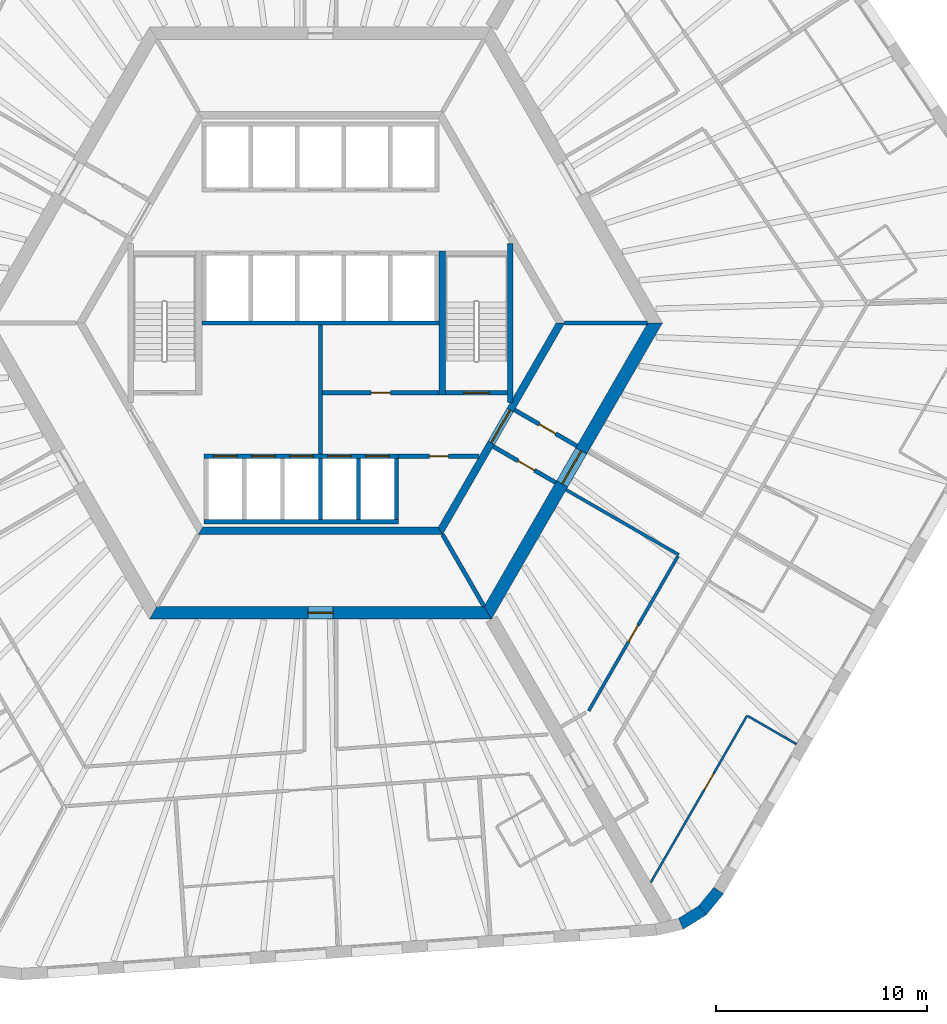
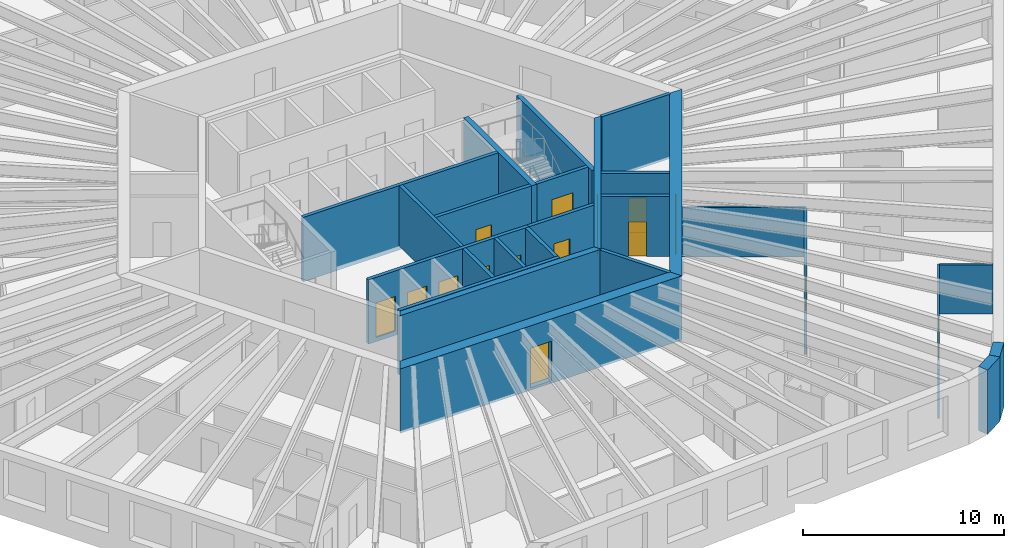
# One storey, part 5 of 12: 26 walls, 15 doors, 15 openings.
"""IFC4 building model written with IfcOpenShell, lengths in metres."""

from ifc_helpers import new_model, si_unit, direction, frame, frame_2d, origin, place, context, subcontext, project, spatial, polyline, rectangle, outline, extrude, material, layer, layer_set, type_object, element, fill, save


model = new_model("IFC4")

# Units and contexts
model_context = context("Model", 3, precision=1e-05, world=origin(), true_north=direction((0.0, 1.0)))
body_context = subcontext(model_context, "Body", "Model", "MODEL_VIEW")
ifc_project = project(units=[si_unit("LENGTHUNIT", "METRE"), si_unit("AREAUNIT", "SQUARE_METRE"), si_unit("VOLUMEUNIT", "CUBIC_METRE"), si_unit("PLANEANGLEUNIT", "RADIAN"), si_unit("MASSUNIT", "GRAM", prefix="KILO")], contexts=[model_context])

# Site, building, storey
site_placement = place(None, origin())
site = spatial("IfcSite", under=ifc_project, at=site_placement, CompositionType="ELEMENT")
building_placement = place(site_placement, origin())
building = spatial("IfcBuilding", under=site, at=building_placement, Name="Tarnside Tower", CompositionType="ELEMENT")
storey_placement = place(building_placement, frame((0.0, 0.0, 119.39990234375)))
storey = spatial("IfcBuildingStorey", under=building, at=storey_placement, Name="L27", CompositionType="ELEMENT", Elevation=119.39990234375)

# Wall
ifc_material_1 = material(Name="Concrete C50/60", Category="concrete")
ifc_layer_1 = layer(ifc_material_1, 0.35009765625)
ifc_layer_set_1 = layer_set([ifc_layer_1], Name="Core block wall 350 C50/60")
wall_type_1 = type_object("IfcWallType", Name="Core block wall 350 C50/60", PredefinedType="SHEAR", material=ifc_layer_set_1)
wall_1_placement = place(storey_placement, frame((-5.672607421875, -9.824951171875, -0.14990234375), z_axis=(0.0, 0.0, 1.0), x_axis=(1.0, 0.0, 0.0)))
element("IfcWall", 1, at=wall_1_placement, inside=storey, type_object=wall_type_1, Name="L27 core block wall face 4", PredefinedType="SHEAR", context=body_context, shape_type="SweptSolid", body=[
    extrude(outline(polyline([(-0.10107421875, -0.175048828125), (11.4462890625, -0.175048828125), (11.244140625, 0.175048828125), (0.10107421875, 0.175048828125), (-0.10107421875, -0.175048828125)])), origin(), (0.0, 0.0, 1.0), 3.89990234375),
])

# Wall, opening, door
wall_2_placement = place(storey_placement, frame((5.672607421875, -9.824951171875, -0.14990234375), z_axis=(0.0, 0.0, 1.0), x_axis=(0.499995046907, 0.866028263435, 0.0)))
wall_2 = element("IfcWall", 2, at=wall_2_placement, inside=storey, type_object=wall_type_1, Name="L27 core block wall face 5", PredefinedType="SHEAR", context=body_context, shape_type="SweptSolid", body=[
    extrude(outline(polyline([(-0.10107421875, -0.175048828125), (11.44580078125, -0.175048828125), (11.24365234375, 0.175048828125), (0.10107421875, 0.175048828125), (-0.10107421875, -0.175048828125)])), origin(), (0.0, 0.0, 1.0), 3.89990234375),
])
opening_1_placement = place(wall_2_placement, frame((4.80126953125, 0.0, 0.14990234375)))
opening_1 = element("IfcOpeningElement", 3, at=opening_1_placement, cuts=wall_2, Name="Opening CD-FFL", PredefinedType="OPENING", context=body_context, shape_type="SweptSolid", body=[
    extrude(rectangle(XDim=1.800048828125, YDim=2.39990234375, at=frame_2d((0.89990234375, 1.199951171875))), frame((0.0, 0.18505859375, 0.0), z_axis=(0.0, -1.0, 0.0), x_axis=(1.0, 0.0, 0.0)), (0.0, 0.0, 1.0), 0.3701171875),
])
ifc_material_2 = material(Name="Steel fire door", Category="steel")
door_type_1 = type_object("IfcDoorType", Name="Firefighting lobby double door FD60S 1800x2400", OperationType="NOTDEFINED", PredefinedType="DOOR", material=ifc_material_2)
door_1_placement = place(opening_1_placement, origin())
door_1 = element("IfcDoor", 4, at=door_1_placement, inside=storey, type_object=door_type_1, Name="L27 lobby block door P4", OperationType="DOUBLE_DOOR_SINGLE_SWING", OverallHeight=2.39990234375, OverallWidth=1.800048828125, PredefinedType="DOOR", context=body_context, shape_type="SweptSolid", body=[
    extrude(rectangle(XDim=1.800048828125, YDim=2.39990234375, at=frame_2d((0.89990234375, 1.199951171875))), frame((0.0, 0.02490234375, 0.0), z_axis=(0.0, -1.0, 0.0), x_axis=(1.0, 0.0, 0.0)), (0.0, 0.0, 1.0), 0.050048828125),
])
fill(opening_1, door_1)

ifc_material_3 = material(Name="Concrete C40/50", Category="concrete")
ifc_layer_2 = layer(ifc_material_3, 0.199951171875)
ifc_layer_set_2 = layer_set([ifc_layer_2], Name="Core room partition 200 C40/50")
wall_type_2 = type_object("IfcWallType", Name="Core room partition 200 C40/50", PredefinedType="PARTITIONING", material=ifc_layer_set_2)
wall_3_placement = place(storey_placement, frame((0.10009765625, -3.300048828125, 0.0), z_axis=(0.0, 0.0, 1.0), x_axis=(1.0, 0.0, 0.0)))
wall_3 = element("IfcWall", 5, at=wall_3_placement, inside=storey, type_object=wall_type_2, Name="L27 core partition R3S1", PredefinedType="PARTITIONING", context=body_context, shape_type="SweptSolid", body=[
    extrude(rectangle(XDim=5.5, YDim=0.199951171875, at=frame_2d((2.75, 0.0))), origin(), (0.0, 0.0, 1.0), 3.650146484375),
])
opening_2_placement = place(wall_3_placement, frame((2.300048828125, 0.0, 0.0)))
opening_2 = element("IfcOpeningElement", 6, at=opening_2_placement, cuts=wall_3, Name="Opening CD-room", PredefinedType="OPENING", context=body_context, shape_type="SweptSolid", body=[
    extrude(rectangle(XDim=0.89990234375, YDim=2.10009765625, at=frame_2d((0.449951171875, 1.050048828125))), frame((0.0, 0.10986328125, 0.0), z_axis=(0.0, -1.0, 0.0), x_axis=(1.0, 0.0, 0.0)), (0.0, 0.0, 1.0), 0.219970703125),
])
door_type_2 = type_object("IfcDoorType", Name="Room door FD60 900x2100", OperationType="NOTDEFINED", PredefinedType="DOOR", material=ifc_material_2)
door_2_placement = place(opening_2_placement, origin())
door_2 = element("IfcDoor", 7, at=door_2_placement, inside=storey, type_object=door_type_2, Name="L27 core room door SR1", OperationType="SINGLE_SWING_LEFT", OverallHeight=2.10009765625, OverallWidth=0.89990234375, PredefinedType="DOOR", context=body_context, shape_type="SweptSolid", body=[
    extrude(rectangle(XDim=0.89990234375, YDim=2.10009765625, at=frame_2d((0.449951171875, 1.050048828125))), frame((0.0, 0.02490234375, 0.0), z_axis=(0.0, -1.0, 0.0), x_axis=(1.0, 0.0, 0.0)), (0.0, 0.0, 1.0), 0.050048828125),
])
fill(opening_2, door_2)

# Wall
wall_4_placement = place(storey_placement, frame((0.0, -6.199951171875, 0.0), z_axis=(0.0, 0.0, 1.0), x_axis=(0.0, 1.0, 0.0)))
element("IfcWall", 8, at=wall_4_placement, inside=storey, type_object=wall_type_2, Name="L27 core partition X0", PredefinedType="PARTITIONING", context=body_context, shape_type="SweptSolid", body=[
    extrude(rectangle(XDim=6.099853515625, YDim=0.199951171875, at=frame_2d((3.0498046875, 0.0))), origin(), (0.0, 0.0, 1.0), 3.650146484375),
])

# Wall, opening, door
wall_5_placement = place(storey_placement, frame((3.699951171875, -6.300048828125, 0.0), z_axis=(0.0, 0.0, 1.0), x_axis=(1.0, 0.0, 0.0)))
wall_5 = element("IfcWall", 9, at=wall_5_placement, inside=storey, type_object=wall_type_2, Name="L27 core partition R4X", PredefinedType="PARTITIONING", context=body_context, shape_type="SweptSolid", body=[
    extrude(rectangle(XDim=3.8056640625, YDim=0.199951171875, at=frame_2d((1.90283203125, 0.0))), origin(), (0.0, 0.0, 1.0), 3.650146484375),
])
opening_3_placement = place(wall_5_placement, frame((1.452880859375, 0.0, 0.0)))
opening_3 = element("IfcOpeningElement", 10, at=opening_3_placement, cuts=wall_5, Name="Opening CD-room", PredefinedType="OPENING", context=body_context, shape_type="SweptSolid", body=[
    extrude(rectangle(XDim=0.89990234375, YDim=2.10009765625, at=frame_2d((0.449951171875, 1.050048828125))), frame((0.0, 0.10986328125, 0.0), z_axis=(0.0, -1.0, 0.0), x_axis=(1.0, 0.0, 0.0)), (0.0, 0.0, 1.0), 0.219970703125),
])
door_3_placement = place(opening_3_placement, origin())
door_3 = element("IfcDoor", 11, at=door_3_placement, inside=storey, type_object=door_type_2, Name="L27 core room door RX", OperationType="SINGLE_SWING_LEFT", OverallHeight=2.10009765625, OverallWidth=0.89990234375, PredefinedType="DOOR", context=body_context, shape_type="SweptSolid", body=[
    extrude(rectangle(XDim=0.89990234375, YDim=2.10009765625, at=frame_2d((0.449951171875, 1.050048828125))), frame((0.0, 0.02490234375, 0.0), z_axis=(0.0, -1.0, 0.0), x_axis=(1.0, 0.0, 0.0)), (0.0, 0.0, 1.0), 0.050048828125),
])
fill(opening_3, door_3)

wall_6_placement = place(storey_placement, frame((9.1748046875, -4.10888671875, 0.0), z_axis=(0.0, 0.0, 1.0), x_axis=(0.865989465428, -0.500062241894, 0.0)))
wall_6 = element("IfcWall", 12, at=wall_6_placement, inside=storey, type_object=wall_type_2, Name="L27 core partition AC4L", PredefinedType="PARTITIONING", context=body_context, shape_type="SweptSolid", body=[
    extrude(rectangle(XDim=3.39990234375, YDim=0.199951171875, at=frame_2d((1.699951171875, 0.0))), origin(), (0.0, 0.0, 1.0), 3.650146484375),
])
opening_4_placement = place(wall_6_placement, frame((1.3505859375, 0.0, 0.0)))
opening_4 = element("IfcOpeningElement", 13, at=opening_4_placement, cuts=wall_6, Name="Opening CD-room", PredefinedType="OPENING", context=body_context, shape_type="SweptSolid", body=[
    extrude(rectangle(XDim=0.89990234375, YDim=2.10009765625, at=frame_2d((0.449951171875, 1.050048828125))), frame((0.0, 0.10986328125, 0.0), z_axis=(0.0, -1.0, 0.0), x_axis=(1.0, 0.0, 0.0)), (0.0, 0.0, 1.0), 0.219970703125),
])
door_4_placement = place(opening_4_placement, origin())
door_4 = element("IfcDoor", 14, at=door_4_placement, inside=storey, type_object=door_type_2, Name="L27 core room door AX4L", OperationType="SINGLE_SWING_LEFT", OverallHeight=2.10009765625, OverallWidth=0.89990234375, PredefinedType="DOOR", context=body_context, shape_type="SweptSolid", body=[
    extrude(rectangle(XDim=0.89990234375, YDim=2.10009765625, at=frame_2d((0.449951171875, 1.050048828125))), frame((0.0, 0.02490234375, 0.0), z_axis=(0.0, -1.0, 0.0), x_axis=(1.0, 0.0, 0.0)), (0.0, 0.0, 1.0), 0.050048828125),
])
fill(opening_4, door_4)

wall_7_placement = place(storey_placement, frame((8.1748046875, -5.841064453125, 0.0), z_axis=(0.0, 0.0, 1.0), x_axis=(0.866020560687, -0.500008388397, 0.0)))
wall_7 = element("IfcWall", 15, at=wall_7_placement, inside=storey, type_object=wall_type_2, Name="L27 core partition AC4R", PredefinedType="PARTITIONING", context=body_context, shape_type="SweptSolid", body=[
    extrude(rectangle(XDim=3.39990234375, YDim=0.199951171875, at=frame_2d((1.699951171875, 0.0))), origin(), (0.0, 0.0, 1.0), 3.650146484375),
])
opening_5_placement = place(wall_7_placement, frame((1.349609375, 0.0, 0.0)))
opening_5 = element("IfcOpeningElement", 16, at=opening_5_placement, cuts=wall_7, Name="Opening CD-room", PredefinedType="OPENING", context=body_context, shape_type="SweptSolid", body=[
    extrude(rectangle(XDim=0.89990234375, YDim=2.10009765625, at=frame_2d((0.449951171875, 1.050048828125))), frame((0.0, 0.10986328125, 0.0), z_axis=(0.0, -1.0, 0.0), x_axis=(1.0, 0.0, 0.0)), (0.0, 0.0, 1.0), 0.219970703125),
])
door_5_placement = place(opening_5_placement, origin())
door_5 = element("IfcDoor", 17, at=door_5_placement, inside=storey, type_object=door_type_2, Name="L27 core room door AX4R", OperationType="SINGLE_SWING_LEFT", OverallHeight=2.10009765625, OverallWidth=0.89990234375, PredefinedType="DOOR", context=body_context, shape_type="SweptSolid", body=[
    extrude(rectangle(XDim=0.89990234375, YDim=2.10009765625, at=frame_2d((0.449951171875, 1.050048828125))), frame((0.0, 0.02490234375, 0.0), z_axis=(0.0, -1.0, 0.0), x_axis=(1.0, 0.0, 0.0)), (0.0, 0.0, 1.0), 0.050048828125),
])
fill(opening_5, door_5)

ifc_material_4 = material(Name="Concrete C80/95", Category="concrete")
ifc_layer_3 = layer(ifc_material_4, 0.60009765625)
ifc_layer_set_3 = layer_set([ifc_layer_3], Name="Core wall Z1 600 C80/95")
wall_type_3 = type_object("IfcWallType", Name="Core wall Z1 600 C80/95", PredefinedType="SHEAR", material=ifc_layer_set_3)
wall_8_placement = place(storey_placement, frame((-7.90966796875, -13.699951171875, -0.14990234375), z_axis=(0.0, 0.0, 1.0), x_axis=(1.0, 0.0, 0.0)))
wall_8 = element("IfcWall", 18, at=wall_8_placement, inside=storey, type_object=wall_type_3, Name="L27 core wall face 4", PredefinedType="SHEAR", context=body_context, shape_type="SweptSolid", body=[
    extrude(outline(polyline([(-0.17333984375, -0.300048828125), (15.99267578125, -0.300048828125), (15.64599609375, 0.300048828125), (0.17333984375, 0.300048828125), (-0.17333984375, -0.300048828125)])), origin(), (0.0, 0.0, 1.0), 3.89990234375),
])
opening_6_placement = place(wall_8_placement, frame((7.309814453125, 0.0, 0.14990234375)))
opening_6 = element("IfcOpeningElement", 19, at=opening_6_placement, cuts=wall_8, Name="Opening CD-RSR", PredefinedType="OPENING", context=body_context, shape_type="SweptSolid", body=[
    extrude(rectangle(XDim=1.199951171875, YDim=2.39990234375, at=frame_2d((0.60009765625, 1.199951171875))), frame((0.0, 0.31005859375, 0.0), z_axis=(0.0, -1.0, 0.0), x_axis=(1.0, 0.0, 0.0)), (0.0, 0.0, 1.0), 0.6201171875),
])
door_type_3 = type_object("IfcDoorType", Name="Riser door FD60 1200x2400", OperationType="NOTDEFINED", PredefinedType="DOOR", material=ifc_material_2)
door_6_placement = place(opening_6_placement, origin())
door_6 = element("IfcDoor", 20, at=door_6_placement, inside=storey, type_object=door_type_3, Name="L27 core door S6", OperationType="SINGLE_SWING_LEFT", OverallHeight=2.39990234375, OverallWidth=1.199951171875, PredefinedType="DOOR", context=body_context, shape_type="SweptSolid", body=[
    extrude(rectangle(XDim=1.199951171875, YDim=2.39990234375, at=frame_2d((0.60009765625, 1.199951171875))), frame((0.0, 0.02490234375, 0.0), z_axis=(0.0, -1.0, 0.0), x_axis=(1.0, 0.0, 0.0)), (0.0, 0.0, 1.0), 0.050048828125),
])
fill(opening_6, door_6)

wall_9_placement = place(storey_placement, frame((7.90966796875, -13.699951171875, -0.14990234375), z_axis=(0.0, 0.0, 1.0), x_axis=(0.499999880136, 0.866025472988, 0.0)))
wall_9 = element("IfcWall", 21, at=wall_9_placement, inside=storey, type_object=wall_type_3, Name="L27 core wall face 5", PredefinedType="SHEAR", context=body_context, shape_type="SweptSolid", body=[
    extrude(outline(polyline([(-0.17333984375, -0.300048828125), (15.99267578125, -0.300048828125), (15.64599609375, 0.300048828125), (0.17333984375, 0.300048828125), (-0.17333984375, -0.300048828125)])), origin(), (0.0, 0.0, 1.0), 3.89990234375),
])
opening_7_placement = place(wall_9_placement, frame((7.03857421875, 0.0, 0.14990234375)))
opening_7 = element("IfcOpeningElement", 22, at=opening_7_placement, cuts=wall_9, Name="Opening CD-FFL", PredefinedType="OPENING", context=body_context, shape_type="SweptSolid", body=[
    extrude(rectangle(XDim=1.800048828125, YDim=2.39990234375, at=frame_2d((0.89990234375, 1.199951171875))), frame((0.0, 0.31005859375, 0.0), z_axis=(0.0, -1.0, 0.0), x_axis=(1.0, 0.0, 0.0)), (0.0, 0.0, 1.0), 0.6201171875),
])
door_7_placement = place(opening_7_placement, origin())
door_7 = element("IfcDoor", 23, at=door_7_placement, inside=storey, type_object=door_type_1, Name="L27 core door P4", OperationType="DOUBLE_DOOR_SINGLE_SWING", OverallHeight=2.39990234375, OverallWidth=1.800048828125, PredefinedType="DOOR", context=body_context, shape_type="SweptSolid", body=[
    extrude(rectangle(XDim=1.800048828125, YDim=2.39990234375, at=frame_2d((0.89990234375, 1.199951171875))), frame((0.0, 0.02490234375, 0.0), z_axis=(0.0, -1.0, 0.0), x_axis=(1.0, 0.0, 0.0)), (0.0, 0.0, 1.0), 0.050048828125),
])
fill(opening_7, door_7)

# Wall
ifc_material_5 = material(Name="Gypsum board partition on steel studs", Category="steel")
ifc_layer_4 = layer(ifc_material_5, 0.14990234375)
ifc_layer_set_4 = layer_set([ifc_layer_4], Name="Corridor wall 150 EI 60")
wall_type_4 = type_object("IfcWallType", Name="Corridor wall 150 EI 60", PredefinedType="PARTITIONING", material=ifc_layer_set_4)
wall_10_placement = place(storey_placement, frame((11.61376953125, -7.88427734375, 0.0), z_axis=(0.0, 0.0, 1.0), x_axis=(0.866033542371, -0.499985903289, 0.0)))
element("IfcWall", 24, at=wall_10_placement, inside=storey, type_object=wall_type_4, Name="Corridor wall 08066", PredefinedType="PARTITIONING", context=body_context, shape_type="SweptSolid", body=[
    extrude(rectangle(XDim=6.150146484375, YDim=0.14990234375, at=frame_2d((3.0751953125, 0.0))), origin(), (0.0, 0.0, 1.0), 2.98779296875),
])

# Wall, opening, door
wall_11_placement = place(storey_placement, frame((16.90234375, -11.024169921875, 0.0), z_axis=(0.0, 0.0, 1.0), x_axis=(-0.499999527968, -0.866025676312, 0.0)))
wall_11 = element("IfcWall", 25, at=wall_11_placement, inside=storey, type_object=wall_type_4, Name="Corridor wall 08067", PredefinedType="PARTITIONING", context=body_context, shape_type="SweptSolid", body=[
    extrude(rectangle(XDim=8.44091796875, YDim=0.14990234375, at=frame_2d((4.220458984375, 0.0))), origin(), (0.0, 0.0, 1.0), 2.98779296875),
])
opening_8_placement = place(wall_11_placement, frame((3.7705078125, 0.0, 0.0)))
opening_8 = element("IfcOpeningElement", 26, at=opening_8_placement, cuts=wall_11, Name="Opening D-S1", PredefinedType="OPENING", context=body_context, shape_type="SweptSolid", body=[
    extrude(rectangle(XDim=0.89990234375, YDim=2.10009765625, at=frame_2d((0.449951171875, 1.050048828125))), frame((0.0, 0.0849609375, 0.0), z_axis=(0.0, -1.0, 0.0), x_axis=(1.0, 0.0, 0.0)), (0.0, 0.0, 1.0), 0.169921875),
])
ifc_material_6 = material(Name="Timber door leaf", Category="wood")
door_type_4 = type_object("IfcDoorType", Name="Service room door 900 FD30S", OperationType="NOTDEFINED", PredefinedType="DOOR", material=ifc_material_6)
door_8_placement = place(opening_8_placement, origin())
door_8 = element("IfcDoor", 27, at=door_8_placement, inside=storey, type_object=door_type_4, Name="Service door 08047", OperationType="SINGLE_SWING_RIGHT", OverallHeight=2.10009765625, OverallWidth=0.89990234375, PredefinedType="DOOR", context=body_context, shape_type="SweptSolid", body=[
    extrude(rectangle(XDim=0.89990234375, YDim=2.10009765625, at=frame_2d((0.449951171875, 1.050048828125))), frame((0.0, 0.02490234375, 0.0), z_axis=(0.0, -1.0, 0.0), x_axis=(1.0, 0.0, 0.0)), (0.0, 0.0, 1.0), 0.050048828125),
])
fill(opening_8, door_8)

# Wall
ifc_layer_5 = layer(ifc_material_3, 0.199951171875)
ifc_layer_set_5 = layer_set([ifc_layer_5], Name="Lift shaft wall 200 C40/50")
wall_type_5 = type_object("IfcWallType", Name="Lift shaft wall 200 C40/50", PredefinedType="SHEAR", material=ifc_layer_set_5)
wall_12_placement = place(storey_placement, frame((-5.60009765625, 0.0, -0.25), z_axis=(0.0, 0.0, 1.0), x_axis=(1.0, 0.0, 0.0)))
element("IfcWall", 28, at=wall_12_placement, inside=storey, type_object=wall_type_5, Name="L27 lift shaft back wall R2", PredefinedType="SHEAR", context=body_context, shape_type="SweptSolid", body=[
    extrude(rectangle(XDim=11.2001953125, YDim=0.199951171875, at=frame_2d((5.60009765625, 0.0))), origin(), (0.0, 0.0, 1.0), 3.900146484375),
])

# Wall, openings, doors
wall_13_placement = place(storey_placement, frame((-5.5, -6.300048828125, -0.25), z_axis=(0.0, 0.0, 1.0), x_axis=(1.0, 0.0, 0.0)))
wall_13 = element("IfcWall", 29, at=wall_13_placement, inside=storey, type_object=wall_type_5, Name="L27 lift shaft front wall R4", PredefinedType="SHEAR", context=body_context, shape_type="SweptSolid", body=[
    extrude(rectangle(XDim=9.199951171875, YDim=0.199951171875, at=frame_2d((4.60009765625, 0.0))), origin(), (0.0, 0.0, 1.0), 3.900146484375),
])
opening_9_placement = place(wall_13_placement, frame((0.449951171875, 0.0, 0.25)))
opening_9 = element("IfcOpeningElement", 30, at=opening_9_placement, cuts=wall_13, Name="Opening LDF", PredefinedType="OPENING", context=body_context, shape_type="SweptSolid", body=[
    extrude(rectangle(XDim=1.10009765625, YDim=2.10009765625, at=frame_2d((0.550048828125, 1.050048828125))), frame((0.0, 0.10986328125, 0.0), z_axis=(0.0, -1.0, 0.0), x_axis=(1.0, 0.0, 0.0)), (0.0, 0.0, 1.0), 0.219970703125),
])
opening_10_placement = place(wall_13_placement, frame((2.25, 0.0, 0.25)))
opening_10 = element("IfcOpeningElement", 31, at=opening_10_placement, cuts=wall_13, Name="Opening LDF", PredefinedType="OPENING", context=body_context, shape_type="SweptSolid", body=[
    extrude(rectangle(XDim=1.10009765625, YDim=2.10009765625, at=frame_2d((0.550048828125, 1.050048828125))), frame((0.0, 0.10986328125, 0.0), z_axis=(0.0, -1.0, 0.0), x_axis=(1.0, 0.0, 0.0)), (0.0, 0.0, 1.0), 0.219970703125),
])
opening_11_placement = place(wall_13_placement, frame((4.050048828125, 0.0, 0.25)))
opening_11 = element("IfcOpeningElement", 32, at=opening_11_placement, cuts=wall_13, Name="Opening LDF", PredefinedType="OPENING", context=body_context, shape_type="SweptSolid", body=[
    extrude(rectangle(XDim=1.10009765625, YDim=2.10009765625, at=frame_2d((0.550048828125, 1.050048828125))), frame((0.0, 0.10986328125, 0.0), z_axis=(0.0, -1.0, 0.0), x_axis=(1.0, 0.0, 0.0)), (0.0, 0.0, 1.0), 0.219970703125),
])
opening_12_placement = place(wall_13_placement, frame((5.85009765625, 0.0, 0.25)))
opening_12 = element("IfcOpeningElement", 33, at=opening_12_placement, cuts=wall_13, Name="Opening LDF", PredefinedType="OPENING", context=body_context, shape_type="SweptSolid", body=[
    extrude(rectangle(XDim=1.10009765625, YDim=2.10009765625, at=frame_2d((0.550048828125, 1.050048828125))), frame((0.0, 0.10986328125, 0.0), z_axis=(0.0, -1.0, 0.0), x_axis=(1.0, 0.0, 0.0)), (0.0, 0.0, 1.0), 0.219970703125),
])
opening_13_placement = place(wall_13_placement, frame((7.64990234375, 0.0, 0.25)))
opening_13 = element("IfcOpeningElement", 34, at=opening_13_placement, cuts=wall_13, Name="Opening LDF", PredefinedType="OPENING", context=body_context, shape_type="SweptSolid", body=[
    extrude(rectangle(XDim=1.10009765625, YDim=2.10009765625, at=frame_2d((0.550048828125, 1.050048828125))), frame((0.0, 0.10986328125, 0.0), z_axis=(0.0, -1.0, 0.0), x_axis=(1.0, 0.0, 0.0)), (0.0, 0.0, 1.0), 0.219970703125),
])
ifc_material_7 = material(Name="Stainless steel", Category="steel")
door_type_5 = type_object("IfcDoorType", Name="Lift landing door 1100x2100 EI 120", OperationType="NOTDEFINED", PredefinedType="DOOR", material=ifc_material_7)
door_9_placement = place(opening_9_placement, origin())
door_9 = element("IfcDoor", 35, at=door_9_placement, inside=storey, type_object=door_type_5, Name="Firefighting lift 1 landing door L27", OperationType="SLIDING_TO_LEFT", OverallHeight=2.10009765625, OverallWidth=1.10009765625, PredefinedType="DOOR", context=body_context, shape_type="SweptSolid", body=[
    extrude(rectangle(XDim=1.10009765625, YDim=2.10009765625, at=frame_2d((0.550048828125, 1.050048828125))), frame((0.0, 0.02490234375, 0.0), z_axis=(0.0, -1.0, 0.0), x_axis=(1.0, 0.0, 0.0)), (0.0, 0.0, 1.0), 0.050048828125),
])
fill(opening_9, door_9)
door_10_placement = place(opening_10_placement, origin())
door_10 = element("IfcDoor", 36, at=door_10_placement, inside=storey, type_object=door_type_5, Name="Firefighting lift 2 landing door L27", OperationType="SLIDING_TO_LEFT", OverallHeight=2.10009765625, OverallWidth=1.10009765625, PredefinedType="DOOR", context=body_context, shape_type="SweptSolid", body=[
    extrude(rectangle(XDim=1.10009765625, YDim=2.10009765625, at=frame_2d((0.550048828125, 1.050048828125))), frame((0.0, 0.02490234375, 0.0), z_axis=(0.0, -1.0, 0.0), x_axis=(1.0, 0.0, 0.0)), (0.0, 0.0, 1.0), 0.050048828125),
])
fill(opening_10, door_10)
door_11_placement = place(opening_11_placement, origin())
door_11 = element("IfcDoor", 37, at=door_11_placement, inside=storey, type_object=door_type_5, Name="Firefighting lift 3 landing door L27", OperationType="SLIDING_TO_LEFT", OverallHeight=2.10009765625, OverallWidth=1.10009765625, PredefinedType="DOOR", context=body_context, shape_type="SweptSolid", body=[
    extrude(rectangle(XDim=1.10009765625, YDim=2.10009765625, at=frame_2d((0.550048828125, 1.050048828125))), frame((0.0, 0.02490234375, 0.0), z_axis=(0.0, -1.0, 0.0), x_axis=(1.0, 0.0, 0.0)), (0.0, 0.0, 1.0), 0.050048828125),
])
fill(opening_11, door_11)
door_12_placement = place(opening_12_placement, origin())
door_12 = element("IfcDoor", 38, at=door_12_placement, inside=storey, type_object=door_type_5, Name="Firefighting lift 4 landing door L27", OperationType="SLIDING_TO_LEFT", OverallHeight=2.10009765625, OverallWidth=1.10009765625, PredefinedType="DOOR", context=body_context, shape_type="SweptSolid", body=[
    extrude(rectangle(XDim=1.10009765625, YDim=2.10009765625, at=frame_2d((0.550048828125, 1.050048828125))), frame((0.0, 0.02490234375, 0.0), z_axis=(0.0, -1.0, 0.0), x_axis=(1.0, 0.0, 0.0)), (0.0, 0.0, 1.0), 0.050048828125),
])
fill(opening_12, door_12)
door_13_placement = place(opening_13_placement, origin())
door_13 = element("IfcDoor", 39, at=door_13_placement, inside=storey, type_object=door_type_5, Name="Firefighting lift 5 landing door L27", OperationType="SLIDING_TO_LEFT", OverallHeight=2.10009765625, OverallWidth=1.10009765625, PredefinedType="DOOR", context=body_context, shape_type="SweptSolid", body=[
    extrude(rectangle(XDim=1.10009765625, YDim=2.10009765625, at=frame_2d((0.550048828125, 1.050048828125))), frame((0.0, 0.02490234375, 0.0), z_axis=(0.0, -1.0, 0.0), x_axis=(1.0, 0.0, 0.0)), (0.0, 0.0, 1.0), 0.050048828125),
])
fill(opening_13, door_13)

# Walls
wall_14_placement = place(storey_placement, frame((-5.5, -9.39990234375, -0.25), z_axis=(0.0, 0.0, 1.0), x_axis=(1.0, 0.0, 0.0)))
element("IfcWall", 40, at=wall_14_placement, inside=storey, type_object=wall_type_5, Name="L27 lift shaft back wall R4", PredefinedType="SHEAR", context=body_context, shape_type="SweptSolid", body=[
    extrude(rectangle(XDim=9.199951171875, YDim=0.199951171875, at=frame_2d((4.60009765625, 0.0))), origin(), (0.0, 0.0, 1.0), 3.900146484375),
])
for number, where, z_axis, x_axis, name in (
    (41, (0.0, -9.300048828125, -0.25), (0.0, 0.0, 1.0), (0.0, 1.0, 0.0), "L27 lift shaft partition R44"),
    (42, (1.800048828125, -9.300048828125, -0.25), (0.0, 0.0, 1.0), (0.0, 1.0, 0.0), "L27 lift shaft partition R45"),
    (43, (3.60009765625, -9.300048828125, -0.25), (0.0, 0.0, 1.0), (0.0, 1.0, 0.0), "L27 lift shaft partition R46"),
):
    element("IfcWall", number, at=place(storey_placement, frame(where, z_axis=z_axis, x_axis=x_axis)), inside=storey, type_object=wall_type_5, Name=name, PredefinedType="SHEAR", context=body_context, shape_type="SweptSolid", body=[
        extrude(rectangle(XDim=2.900146484375, YDim=0.199951171875, at=frame_2d((1.4501953125, 0.0))), origin(), (0.0, 0.0, 1.0), 3.900146484375),
    ])
wall_15_placement = place(storey_placement, frame((11.547119140625, 0.0, -0.14990234375), z_axis=(0.0, 0.0, 1.0), x_axis=(1.0, 0.0, 0.0)))
element("IfcWall", 44, at=wall_15_placement, inside=storey, type_object=wall_type_5, Name="L27 core partition AR0", PredefinedType="SHEAR", context=body_context, shape_type="SweptSolid", body=[
    extrude(rectangle(XDim=3.92578125, YDim=0.199951171875, at=frame_2d((1.962890625, 0.0))), origin(), (0.0, 0.0, 1.0), 3.89990234375),
])
wall_16_placement = place(storey_placement, frame((5.7734375, -10.0, -0.14990234375), z_axis=(0.0, 0.0, 1.0), x_axis=(0.500038251005, -0.86600331843, 0.0)))
element("IfcWall", 45, at=wall_16_placement, inside=storey, type_object=wall_type_5, Name="L27 core partition AR300", PredefinedType="SHEAR", context=body_context, shape_type="SweptSolid", body=[
    extrude(rectangle(XDim=3.926025390625, YDim=0.199951171875, at=frame_2d((1.962890625, 0.0))), origin(), (0.0, 0.0, 1.0), 3.89990234375),
])

# Wall, opening, door
wall_17_placement = place(storey_placement, frame((5.89990234375, -3.300048828125, -0.25), z_axis=(0.0, 0.0, 1.0), x_axis=(1.0, 0.0, 0.0)))
wall_17 = element("IfcWall", 46, at=wall_17_placement, inside=storey, type_object=wall_type_5, Name="L27 stair 1 enclosure cap wall s", PredefinedType="SHEAR", context=body_context, shape_type="SweptSolid", body=[
    extrude(rectangle(XDim=2.9501953125, YDim=0.199951171875, at=frame_2d((1.47509765625, 0.0))), origin(), (0.0, 0.0, 1.0), 3.900146484375),
])
opening_14_placement = place(wall_17_placement, frame((0.875, 0.0, 0.25)))
opening_14 = element("IfcOpeningElement", 47, at=opening_14_placement, cuts=wall_17, Name="Opening CD-STR", PredefinedType="OPENING", context=body_context, shape_type="SweptSolid", body=[
    extrude(rectangle(XDim=1.199951171875, YDim=2.39990234375, at=frame_2d((0.60009765625, 1.199951171875))), frame((0.0, 0.10986328125, 0.0), z_axis=(0.0, -1.0, 0.0), x_axis=(1.0, 0.0, 0.0)), (0.0, 0.0, 1.0), 0.219970703125),
])
door_type_6 = type_object("IfcDoorType", Name="Stair door FD60S 1200x2400", OperationType="NOTDEFINED", PredefinedType="DOOR", material=ifc_material_2)
door_14_placement = place(opening_14_placement, origin())
door_14 = element("IfcDoor", 48, at=door_14_placement, inside=storey, type_object=door_type_6, Name="L27 stair 1 door", OperationType="SINGLE_SWING_LEFT", OverallHeight=2.39990234375, OverallWidth=1.199951171875, PredefinedType="DOOR", context=body_context, shape_type="SweptSolid", body=[
    extrude(rectangle(XDim=1.199951171875, YDim=2.39990234375, at=frame_2d((0.60009765625, 1.199951171875))), frame((0.0, 0.02490234375, 0.0), z_axis=(0.0, -1.0, 0.0), x_axis=(1.0, 0.0, 0.0)), (0.0, 0.0, 1.0), 0.050048828125),
])
fill(opening_14, door_14)

ifc_layer_6 = layer(ifc_material_5, 0.10009765625)
ifc_layer_set_6 = layer_set([ifc_layer_6], Name="Partition 100")
wall_type_6 = type_object("IfcWallType", Name="Partition 100", PredefinedType="PARTITIONING", material=ifc_layer_set_6)
wall_18_placement = place(storey_placement, frame((15.617431640625, -26.449951171875, 0.0), z_axis=(0.0, 0.0, 1.0), x_axis=(0.499984630745, 0.866034277046, 0.0)))
wall_18 = element("IfcWall", 49, at=wall_18_placement, inside=storey, type_object=wall_type_6, Name="Partition wall 08127", PredefinedType="PARTITIONING", context=body_context, shape_type="SweptSolid", body=[
    extrude(rectangle(XDim=9.108642578125, YDim=0.10009765625, at=frame_2d((4.55419921875, 0.0))), origin(), (0.0, 0.0, 1.0), 2.98779296875),
])
opening_15_placement = place(wall_18_placement, frame((5.058837890625, 0.0, 0.0)))
opening_15 = element("IfcOpeningElement", 50, at=opening_15_placement, cuts=wall_18, Name="Opening D-I1", PredefinedType="OPENING", context=body_context, shape_type="SweptSolid", body=[
    extrude(rectangle(XDim=0.89990234375, YDim=2.10009765625, at=frame_2d((0.449951171875, 1.050048828125))), frame((0.0, 0.06005859375, 0.0), z_axis=(0.0, -1.0, 0.0), x_axis=(1.0, 0.0, 0.0)), (0.0, 0.0, 1.0), 0.1201171875),
])
door_type_7 = type_object("IfcDoorType", Name="Internal door 900", OperationType="NOTDEFINED", PredefinedType="DOOR", material=ifc_material_6)
door_15_placement = place(opening_15_placement, origin())
door_15 = element("IfcDoor", 51, at=door_15_placement, inside=storey, type_object=door_type_7, Name="Internal door 08030", OperationType="SINGLE_SWING_LEFT", OverallHeight=2.10009765625, OverallWidth=0.89990234375, PredefinedType="DOOR", context=body_context, shape_type="SweptSolid", body=[
    extrude(rectangle(XDim=0.89990234375, YDim=2.10009765625, at=frame_2d((0.449951171875, 1.050048828125))), frame((0.0, 0.02490234375, 0.0), z_axis=(0.0, -1.0, 0.0), x_axis=(1.0, 0.0, 0.0)), (0.0, 0.0, 1.0), 0.050048828125),
])
fill(opening_15, door_15)

# Walls
wall_19_placement = place(storey_placement, frame((20.215087890625, -18.586669921875, 0.0), z_axis=(0.0, 0.0, 1.0), x_axis=(0.866029095148, -0.499993606316, 0.0)))
element("IfcWall", 52, at=wall_19_placement, inside=storey, type_object=wall_type_6, Name="Partition wall 08128", PredefinedType="PARTITIONING", context=body_context, shape_type="SweptSolid", body=[
    extrude(rectangle(XDim=2.64990234375, YDim=0.10009765625, at=frame_2d((1.324951171875, 0.0))), origin(), (0.0, 0.0, 1.0), 2.98779296875),
])
ifc_layer_7 = layer(ifc_material_3, 0.25)
ifc_layer_set_7 = layer_set([ifc_layer_7], Name="Stair enclosure wall 250 C40/50")
wall_type_7 = type_object("IfcWallType", Name="Stair enclosure wall 250 C40/50", PredefinedType="SHEAR", material=ifc_layer_set_7)
wall_20_placement = place(storey_placement, frame((8.97509765625, -3.7548828125, -0.25), z_axis=(0.0, 0.0, 1.0), x_axis=(0.0, 1.0, 0.0)))
element("IfcWall", 53, at=wall_20_placement, inside=storey, type_object=wall_type_7, Name="L27 stair 1 enclosure wall outer", PredefinedType="SHEAR", context=body_context, shape_type="SweptSolid", body=[
    extrude(rectangle(XDim=7.509765625, YDim=0.25, at=frame_2d((3.7548828125, 0.0))), origin(), (0.0, 0.0, 1.0), 3.900146484375),
])
ifc_layer_8 = layer(ifc_material_3, 0.300048828125)
ifc_layer_set_8 = layer_set([ifc_layer_8], Name="Stair enclosure wall 300 C40/50")
wall_type_8 = type_object("IfcWallType", Name="Stair enclosure wall 300 C40/50", PredefinedType="SHEAR", material=ifc_layer_set_8)
wall_21_placement = place(storey_placement, frame((5.75, -3.39990234375, -0.25), z_axis=(0.0, 0.0, 1.0), x_axis=(0.0, 1.0, 0.0)))
element("IfcWall", 54, at=wall_21_placement, inside=storey, type_object=wall_type_8, Name="L27 stair 1 enclosure wall inner", PredefinedType="SHEAR", context=body_context, shape_type="SweptSolid", body=[
    extrude(rectangle(XDim=6.7998046875, YDim=0.300048828125, at=frame_2d((3.39990234375, 0.0))), origin(), (0.0, 0.0, 1.0), 3.900146484375),
])
ifc_material_8 = material(Name="Facing brick", Category="masonry")
ifc_layer_9 = layer(ifc_material_8, 0.10205078125)
ifc_material_9 = material(Name="Concrete C60/75 precast", Category="concrete")
ifc_layer_10 = layer(ifc_material_9, 0.347900390625)
ifc_material_10 = material(Name="Mineral wool insulation")
ifc_layer_11 = layer(ifc_material_10, 0.10009765625)
ifc_layer_set_9 = layer_set([ifc_layer_9, ifc_layer_10, ifc_layer_11], Name="Tube wall 550 brick faced")
wall_type_9 = type_object("IfcWallType", Name="Tube wall 550 brick faced", PredefinedType="SOLIDWALL", material=ifc_layer_set_9)
wall_22_placement = place(storey_placement, frame((17.0400390625, -28.40966796875, -0.14990234375), z_axis=(0.0, 0.0, 1.0), x_axis=(0.847952888306, 0.530071598195, 0.0)))
element("IfcWall", 55, at=wall_22_placement, inside=storey, type_object=wall_type_9, Name="Tube wall L27 F4 chord 14", PredefinedType="SOLIDWALL", context=body_context, shape_type="SweptSolid", body=[
    extrude(outline(polyline([(-0.045166015625, -0.27490234375), (1.253173828125, -0.27490234375), (1.162841796875, 0.27490234375), (0.045166015625, 0.27490234375), (-0.045166015625, -0.27490234375)])), origin(), (0.0, 0.0, 1.0), 3.89990234375),
])
wall_23_placement = place(storey_placement, frame((18.064453125, -27.769287109375, -0.14990234375), z_axis=(0.0, 0.0, 1.0), x_axis=(0.633842757806, 0.773461930787, 0.0)))
element("IfcWall", 56, at=wall_23_placement, inside=storey, type_object=wall_type_9, Name="Tube wall L27 F4 chord 15", PredefinedType="SOLIDWALL", context=body_context, shape_type="SweptSolid", body=[
    extrude(outline(polyline([(-0.045166015625, -0.27490234375), (1.230712890625, -0.27490234375), (1.185791015625, 0.27490234375), (0.045166015625, 0.27490234375), (-0.045166015625, -0.27490234375)])), origin(), (0.0, 0.0, 1.0), 3.89990234375),
])

save(model, "model.ifc")
